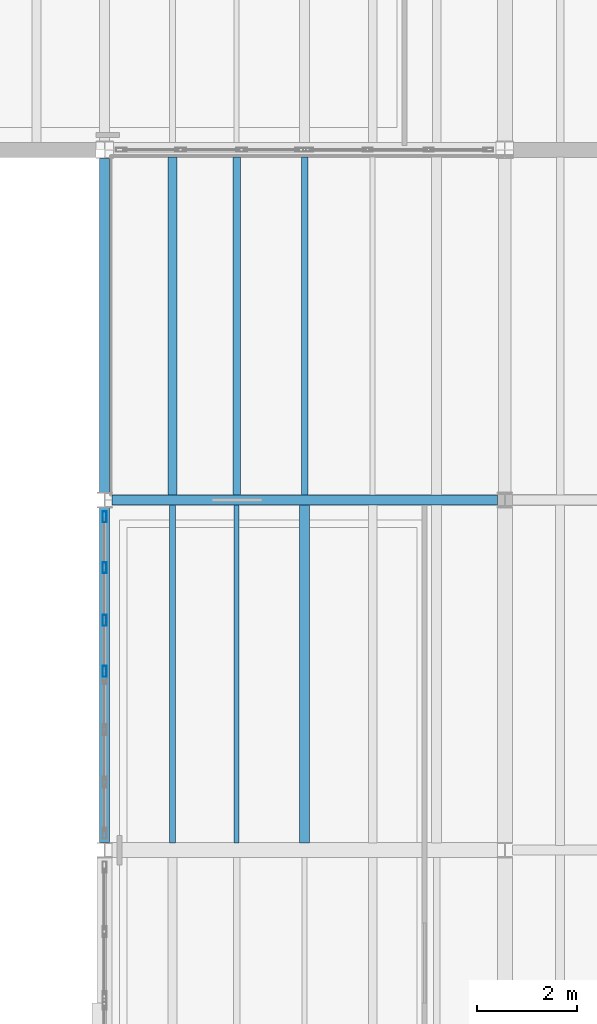
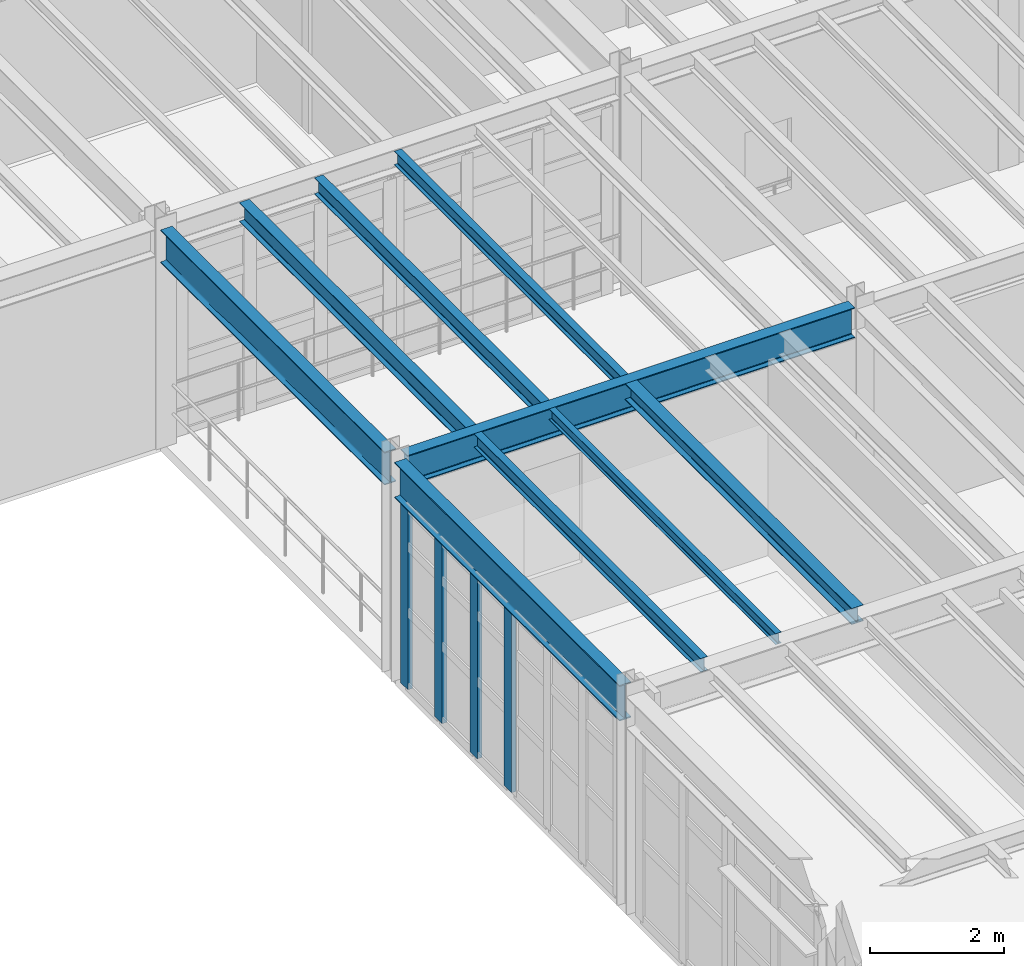
# One storey, part 11 of 27: 9 beams, 4 members, 1 element without a shape of its own.
"""IFC4 building model written with IfcOpenShell, lengths in metres."""

from ifc_helpers import new_model, si_unit, direction, frame, origin, origin_2d, place, context, subcontext, project, spatial, hollow_rectangle, i_section, extrude, material, material_profile, profile_set, type_object, element, aggregate, save


model = new_model("IFC4")

# Units and contexts
model_context = context("Model", 3, precision=1e-05, world=origin(), true_north=direction((0.0, 1.0)))
body_context = subcontext(model_context, "Body", "Model", "MODEL_VIEW")
ifc_project = project(units=[si_unit("LENGTHUNIT", "METRE"), si_unit("AREAUNIT", "SQUARE_METRE"), si_unit("VOLUMEUNIT", "CUBIC_METRE"), si_unit("PLANEANGLEUNIT", "RADIAN"), si_unit("MASSUNIT", "GRAM", prefix="KILO"), si_unit("THERMODYNAMICTEMPERATUREUNIT", "KELVIN"), si_unit("POWERUNIT", "WATT")], contexts=[model_context])

# Site, building, storey
site_placement = place(None, origin())
site = spatial("IfcSite", under=ifc_project, at=site_placement, CompositionType="ELEMENT")
building_placement = place(site_placement, origin())
building = spatial("IfcBuilding", under=site, at=building_placement, Name="Zhenchuan Central Fire Station", CompositionType="ELEMENT")
storey_placement = place(building_placement, frame((0.0, 0.0, 14.25)))
storey = spatial("IfcBuildingStorey", under=building, at=storey_placement, Name="L04", CompositionType="ELEMENT", Elevation=14.25)

# Beams
ifc_material_1 = material(Name="Steel Q355B", Category="steel")
ifc_material_profile_1 = material_profile(ifc_material_1, i_section(OverallWidth=0.199951171875, OverallDepth=0.550048828125, WebThickness=0.010009765625, FlangeThickness=0.01611328125, FilletRadius=0.02001953125, at=origin_2d()), Name="HN 550x200")
ifc_profile_set_1 = profile_set([ifc_material_profile_1], Name="Steel Q355B")
beam_type_1 = type_object("IfcBeamType", Name="BM-HN550-INT", PredefinedType="BEAM", material=ifc_profile_set_1)
beam_1_placement = place(storey_placement, frame((140.14990234375, 35.5, 3.705078125), z_axis=(1.0, 0.0, 0.0), x_axis=(0.0, 1.0, 0.0)))
element("IfcBeam", 1, at=beam_1_placement, inside=storey, type_object=beam_type_1, Name="L05 Girder EW 0443", PredefinedType="BEAM", context=body_context, shape_type="SweptSolid", body=[
    extrude(i_section(OverallWidth=0.199951171875, OverallDepth=0.550048828125, WebThickness=0.010009765625, FlangeThickness=0.01611328125, FilletRadius=0.02001953125, at=origin_2d()), origin(), (0.0, 0.0, 1.0), 7.7001953125),
])
ifc_material_profile_2 = material_profile(ifc_material_1, i_section(OverallWidth=0.199951171875, OverallDepth=0.60009765625, WebThickness=0.010986328125, FlangeThickness=0.01708984375, FilletRadius=0.02197265625, at=origin_2d()), Name="HN 600x200")
ifc_profile_set_2 = profile_set([ifc_material_profile_2], Name="Steel Q355B")
beam_type_2 = type_object("IfcBeamType", Name="BM-HN600-INT", PredefinedType="BEAM", material=ifc_profile_set_2)
beam_2_placement = place(storey_placement, frame((140.0, 35.64990234375, 3.679931640625), z_axis=(0.0, 1.0, 0.0), x_axis=(-1.0, 0.0, 0.0)))
element("IfcBeam", 2, at=beam_2_placement, inside=storey, type_object=beam_type_2, Name="L05 Girder NS 0464", PredefinedType="BEAM", context=body_context, shape_type="SweptSolid", body=[
    extrude(i_section(OverallWidth=0.199951171875, OverallDepth=0.60009765625, WebThickness=0.010986328125, FlangeThickness=0.01708984375, FilletRadius=0.02197265625, at=origin_2d()), origin(), (0.0, 0.0, 1.0), 6.675048828125),
])
ifc_material_profile_3 = material_profile(ifc_material_1, i_section(OverallWidth=0.199951171875, OverallDepth=0.64990234375, WebThickness=0.011962890625, FlangeThickness=0.02001953125, FilletRadius=0.02197265625, at=origin_2d()), Name="HN 650x200")
ifc_profile_set_3 = profile_set([ifc_material_profile_3], Name="Steel Q355B")
beam_type_3 = type_object("IfcBeamType", Name="BM-HN650", PredefinedType="BEAM", material=ifc_profile_set_3)
beam_3_placement = place(storey_placement, frame((140.0, 28.64990234375, 3.655029296875), z_axis=(0.0, 1.0, 0.0), x_axis=(-1.0, 0.0, 0.0)))
element("IfcBeam", 3, at=beam_3_placement, inside=storey, type_object=beam_type_3, Name="L05 Girder NS 0463", PredefinedType="BEAM", context=body_context, shape_type="SweptSolid", body=[
    extrude(i_section(OverallWidth=0.199951171875, OverallDepth=0.64990234375, WebThickness=0.011962890625, FlangeThickness=0.02001953125, FilletRadius=0.02197265625, at=origin_2d()), origin(), (0.0, 0.0, 1.0), 6.7001953125),
])

# Curtain wall, members
ifc_material_2 = material(Name="Anodised aluminium and low-E glazing", Category="aluminium")
curtain_wall_type = type_object("IfcCurtainWallType", Name="CW-MOD-17", PredefinedType="USERDEFINED", material=ifc_material_2)
curtain_wall_placement = place(storey_placement, origin())
curtain_wall = element("IfcCurtainWall", 4, at=curtain_wall_placement, inside=storey, type_object=curtain_wall_type, Name="L04 Unitised Curtain Wall 141", ObjectType="UNITISED GLAZING", PredefinedType="USERDEFINED")
ifc_material_3 = material(Name="Anodised aluminium EN AW-6063", Category="aluminium")
ifc_material_profile_4 = material_profile(ifc_material_3, hollow_rectangle(XDim=0.080078125, YDim=0.219970703125, WallThickness=0.005615234375, at=origin_2d()), Name="ALU-M 220x80")
ifc_profile_set_4 = profile_set([ifc_material_profile_4], Name="Anodised aluminium EN AW-6063")
member_type = type_object("IfcMemberType", Name="CW-MUL200", PredefinedType="MULLION", material=ifc_profile_set_4)
member_1_placement = place(storey_placement, frame((140.0, 32.075439453125, -0.00390625), z_axis=(0.0, 0.0, 1.0), x_axis=(-1.0, 0.0, 0.0)))
member_1 = element("IfcMember", 5, at=member_1_placement, type_object=member_type, Name="CW-17 mullion 1", PredefinedType="MULLION", context=body_context, shape_type="SweptSolid", body=[
    extrude(hollow_rectangle(XDim=0.080078125, YDim=0.219970703125, WallThickness=0.005615234375, at=origin_2d()), origin(), (0.0, 0.0, 1.0), 3.327880859375),
])
member_2_placement = place(storey_placement, frame((140.0, 33.092041015625, -0.00390625), z_axis=(0.0, 0.0, 1.0), x_axis=(-1.0, 0.0, 0.0)))
member_2 = element("IfcMember", 6, at=member_2_placement, type_object=member_type, Name="CW-17 mullion 2", PredefinedType="MULLION", context=body_context, shape_type="SweptSolid", body=[
    extrude(hollow_rectangle(XDim=0.080078125, YDim=0.219970703125, WallThickness=0.005615234375, at=origin_2d()), origin(), (0.0, 0.0, 1.0), 3.327880859375),
])
member_3_placement = place(storey_placement, frame((140.0, 34.14599609375, -0.00390625), z_axis=(0.0, 0.0, 1.0), x_axis=(-1.0, 0.0, 0.0)))
member_3 = element("IfcMember", 7, at=member_3_placement, type_object=member_type, Name="CW-17 mullion 3", PredefinedType="MULLION", context=body_context, shape_type="SweptSolid", body=[
    extrude(hollow_rectangle(XDim=0.080078125, YDim=0.219970703125, WallThickness=0.005615234375, at=origin_2d()), origin(), (0.0, 0.0, 1.0), 3.327880859375),
])
member_4_placement = place(storey_placement, frame((140.0, 35.16259765625, -0.00390625), z_axis=(0.0, 0.0, 1.0), x_axis=(-1.0, 0.0, 0.0)))
member_4 = element("IfcMember", 8, at=member_4_placement, type_object=member_type, Name="CW-17 mullion 4", PredefinedType="MULLION", context=body_context, shape_type="SweptSolid", body=[
    extrude(hollow_rectangle(XDim=0.080078125, YDim=0.219970703125, WallThickness=0.005615234375, at=origin_2d()), origin(), (0.0, 0.0, 1.0), 3.327880859375),
])
aggregate(curtain_wall, [member_1, member_2, member_3, member_4])

# Beams
ifc_material_profile_5 = material_profile(ifc_material_1, i_section(OverallWidth=0.199951171875, OverallDepth=0.2939453125, WebThickness=0.008056640625, FlangeThickness=0.011962890625, FilletRadius=0.01611328125, at=origin_2d()), Name="HM 294x200")
ifc_profile_set_5 = profile_set([ifc_material_profile_5], Name="Steel Q355B")
beam_type_4 = type_object("IfcBeamType", Name="JS-HM294", PredefinedType="JOIST", material=ifc_profile_set_5)
beam_4_placement = place(storey_placement, frame((144.0, 28.64697265625, 3.8330078125), z_axis=(0.0, 1.0, 0.0), x_axis=(-1.0, 0.0, 0.0)))
element("IfcBeam", 9, at=beam_4_placement, inside=storey, type_object=beam_type_4, Name="L05 Secondary Joist 0741", PredefinedType="JOIST", context=body_context, shape_type="SweptSolid", body=[
    extrude(i_section(OverallWidth=0.199951171875, OverallDepth=0.2939453125, WebThickness=0.008056640625, FlangeThickness=0.011962890625, FilletRadius=0.01611328125, at=origin_2d()), origin(), (0.0, 0.0, 1.0), 6.756103515625),
])
ifc_material_profile_6 = material_profile(ifc_material_1, i_section(OverallWidth=0.10009765625, OverallDepth=0.199951171875, WebThickness=0.005615234375, FlangeThickness=0.008056640625, FilletRadius=0.010986328125, at=origin_2d()), Name="HN 200x100")
ifc_profile_set_6 = profile_set([ifc_material_profile_6], Name="Steel Q355B")
beam_type_5 = type_object("IfcBeamType", Name="JS-HN200", PredefinedType="JOIST", material=ifc_profile_set_6)
beam_5_placement = place(storey_placement, frame((142.639892578125, 28.64697265625, 3.8798828125), z_axis=(0.0, 1.0, 0.0), x_axis=(-1.0, 0.0, 0.0)))
element("IfcBeam", 10, at=beam_5_placement, inside=storey, type_object=beam_type_5, Name="L05 Secondary Joist 0740", PredefinedType="JOIST", context=body_context, shape_type="SweptSolid", body=[
    extrude(i_section(OverallWidth=0.10009765625, OverallDepth=0.199951171875, WebThickness=0.005615234375, FlangeThickness=0.008056640625, FilletRadius=0.010986328125, at=origin_2d()), origin(), (0.0, 0.0, 1.0), 6.756103515625),
])
ifc_material_profile_7 = material_profile(ifc_material_1, i_section(OverallWidth=0.125, OverallDepth=0.25, WebThickness=0.006103515625, FlangeThickness=0.009033203125, FilletRadius=0.011962890625, at=origin_2d()), Name="HN 250x125")
ifc_profile_set_7 = profile_set([ifc_material_profile_7], Name="Steel Q355B")
beam_type_6 = type_object("IfcBeamType", Name="JS-HN250", PredefinedType="JOIST", material=ifc_profile_set_7)
for number, where, z_axis, x_axis, name in (
    (11, (141.360107421875, 28.64697265625, 3.85498046875), (0.0, 1.0, 0.0), (-1.0, 0.0, 0.0), "L05 Secondary Joist 0739"),
    (12, (144.0, 35.596923828125, 3.85498046875), (0.0, 1.0, 0.0), (-1.0, 0.0, 0.0), "L05 Secondary Joist 0753"),
):
    element("IfcBeam", number, at=place(storey_placement, frame(where, z_axis=z_axis, x_axis=x_axis)), inside=storey, type_object=beam_type_6, Name=name, PredefinedType="JOIST", context=body_context, shape_type="SweptSolid", body=[
        extrude(i_section(OverallWidth=0.125, OverallDepth=0.25, WebThickness=0.006103515625, FlangeThickness=0.009033203125, FilletRadius=0.011962890625, at=origin_2d()), origin(), (0.0, 0.0, 1.0), 6.756103515625),
    ])
ifc_material_profile_8 = material_profile(ifc_material_1, i_section(OverallWidth=0.14990234375, OverallDepth=0.300048828125, WebThickness=0.006591796875, FlangeThickness=0.009033203125, FilletRadius=0.012939453125, at=origin_2d()), Name="HN 300x150")
ifc_profile_set_8 = profile_set([ifc_material_profile_8], Name="Steel Q355B")
beam_type_7 = type_object("IfcBeamType", Name="JS-HN300", PredefinedType="JOIST", material=ifc_profile_set_8)
beam_6_placement = place(storey_placement, frame((142.639892578125, 35.596923828125, 3.830078125), z_axis=(0.0, 1.0, 0.0), x_axis=(-1.0, 0.0, 0.0)))
element("IfcBeam", 13, at=beam_6_placement, inside=storey, type_object=beam_type_7, Name="L05 Secondary Joist 0752", PredefinedType="JOIST", context=body_context, shape_type="SweptSolid", body=[
    extrude(i_section(OverallWidth=0.14990234375, OverallDepth=0.300048828125, WebThickness=0.006591796875, FlangeThickness=0.009033203125, FilletRadius=0.012939453125, at=origin_2d()), origin(), (0.0, 0.0, 1.0), 6.756103515625),
])
ifc_material_profile_9 = material_profile(ifc_material_1, i_section(OverallWidth=0.175048828125, OverallDepth=0.35009765625, WebThickness=0.007080078125, FlangeThickness=0.010986328125, FilletRadius=0.013916015625, at=origin_2d()), Name="HN 350x175")
ifc_profile_set_9 = profile_set([ifc_material_profile_9], Name="Steel Q355B")
beam_type_8 = type_object("IfcBeamType", Name="JS-HN350", PredefinedType="JOIST", material=ifc_profile_set_9)
beam_7_placement = place(storey_placement, frame((141.360107421875, 35.596923828125, 3.804931640625), z_axis=(0.0, 1.0, 0.0), x_axis=(-1.0, 0.0, 0.0)))
element("IfcBeam", 14, at=beam_7_placement, inside=storey, type_object=beam_type_8, Name="L05 Secondary Joist 0751", PredefinedType="JOIST", context=body_context, shape_type="SweptSolid", body=[
    extrude(i_section(OverallWidth=0.175048828125, OverallDepth=0.35009765625, WebThickness=0.007080078125, FlangeThickness=0.010986328125, FilletRadius=0.013916015625, at=origin_2d()), origin(), (0.0, 0.0, 1.0), 6.756103515625),
])

save(model, "model.ifc")
